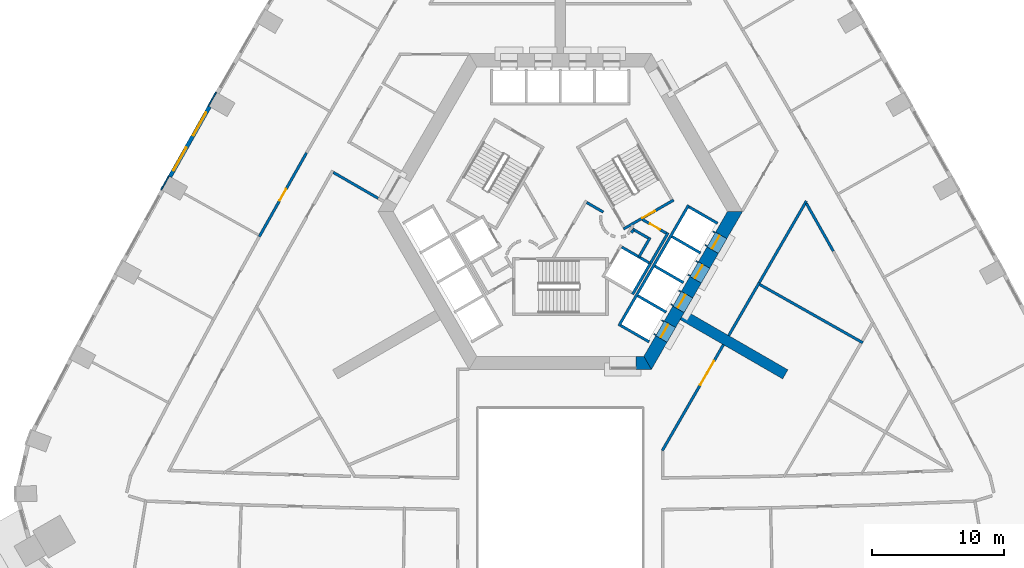
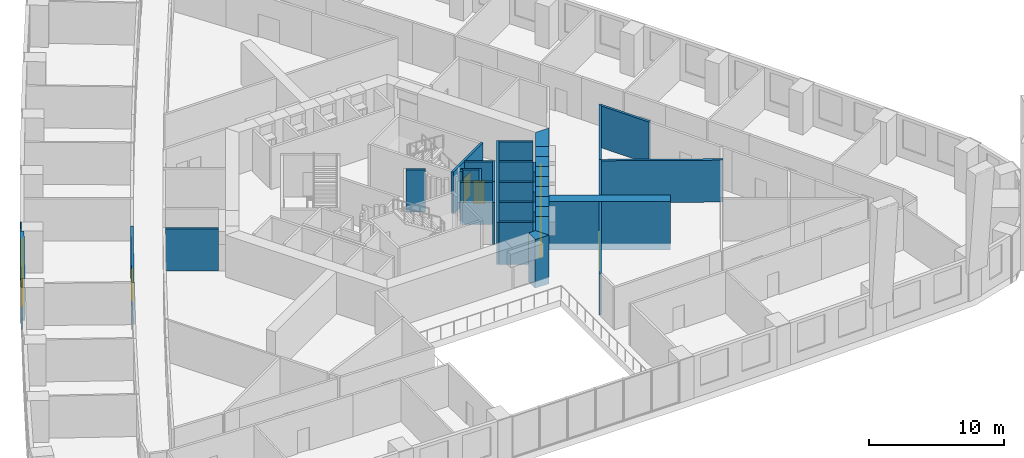
# One storey, part 7 of 15: 40 walls, 9 doors, 2 windows, 11 openings.
"""IFC4 building model written with IfcOpenShell, lengths in metres."""

from ifc_helpers import new_model, si_unit, direction, frame, frame_2d, origin, place, context, subcontext, project, spatial, polyline, rectangle, outline, extrude, material, layer, layer_set, type_object, element, fill, save


model = new_model("IFC4")

# Units and contexts
model_context = context("Model", 3, precision=1e-05, world=origin(), true_north=direction((0.0, 1.0)))
body_context = subcontext(model_context, "Body", "Model", "MODEL_VIEW")
ifc_project = project(units=[si_unit("LENGTHUNIT", "METRE"), si_unit("AREAUNIT", "SQUARE_METRE"), si_unit("VOLUMEUNIT", "CUBIC_METRE"), si_unit("PLANEANGLEUNIT", "RADIAN"), si_unit("MASSUNIT", "GRAM", prefix="KILO")], contexts=[model_context])

# Site, building, storey
site_placement = place(None, origin())
site = spatial("IfcSite", under=ifc_project, at=site_placement, CompositionType="ELEMENT")
building_placement = place(site_placement, origin())
building = spatial("IfcBuilding", under=site, at=building_placement, Name="Entoto Arch Interchange Tower", CompositionType="ELEMENT")
storey_placement = place(building_placement, frame((0.0, 0.0, 35.0)))
storey = spatial("IfcBuildingStorey", under=building, at=storey_placement, Name="L06", CompositionType="ELEMENT", Elevation=35.0)

# Walls
ifc_material_1 = material(Name="Concrete C60/75", Category="concrete")
ifc_layer_1 = layer(ifc_material_1, 0.800048828125)
ifc_layer_set_1 = layer_set([ifc_layer_1], Name="Concrete C60/75")
wall_type_1 = type_object("IfcWallType", Name="Buttress wall 800 C60/75", PredefinedType="SHEAR", material=ifc_layer_set_1)
wall_1_placement = place(storey_placement, frame((9.31005859375, -5.375, -0.60009765625), z_axis=(0.0, 0.0, 1.0), x_axis=(0.866017533419, -0.500013631625, 0.0)))
element("IfcWall", 1, at=wall_1_placement, inside=storey, type_object=wall_type_1, Name="Buttress wall SE L06", PredefinedType="SHEAR", context=body_context, shape_type="SweptSolid", body=[
    extrude(rectangle(XDim=8.999755859375, YDim=0.800048828125, at=frame_2d((4.5, 0.0))), origin(), (0.0, 0.0, 1.0), 4.400146484375),
])
ifc_layer_2 = layer(ifc_material_1, 1.0)
ifc_layer_set_2 = layer_set([ifc_layer_2], Name="Concrete C60/75")
wall_type_2 = type_object("IfcWallType", Name="Core wall 1000 C60/75", PredefinedType="SHEAR", material=ifc_layer_set_2)
wall_2_placement = place(storey_placement, frame((0.0, 0.0, -0.60009765625)))
element("IfcWall", 2, at=wall_2_placement, inside=storey, type_object=wall_type_2, Name="Core wall S L06", PredefinedType="SHEAR", context=body_context, shape_type="SweptSolid", body=[
    extrude(outline(polyline([(5.75, -8.5), (5.75, -9.5), (6.927978515625, -9.5), (6.35107421875, -8.5), (5.75, -8.5)])), origin(), (0.0, 0.0, 1.0), 4.400146484375),
])
wall_3_placement = place(storey_placement, frame((0.0, 0.0, -0.60009765625)))
element("IfcWall", 3, at=wall_3_placement, inside=storey, type_object=wall_type_2, Name="Core wall SE L06", PredefinedType="SHEAR", context=body_context, shape_type="SweptSolid", body=[
    extrude(outline(polyline([(8.116943359375, -7.43994140625), (7.251953125, -6.93994140625), (6.35107421875, -8.5), (6.927978515625, -9.5), (8.116943359375, -7.43994140625)])), origin(), (0.0, 0.0, 1.0), 4.400146484375),
])
wall_4_placement = place(storey_placement, frame((0.0, 0.0, -0.60009765625)))
element("IfcWall", 4, at=wall_4_placement, inside=storey, type_object=wall_type_2, Name="Core wall SE L06", PredefinedType="SHEAR", context=body_context, shape_type="SweptSolid", body=[
    extrude(outline(polyline([(9.4169921875, -5.18896484375), (8.551025390625, -4.68896484375), (7.902099609375, -5.81396484375), (8.76708984375, -6.31396484375), (9.4169921875, -5.18896484375)])), origin(), (0.0, 0.0, 1.0), 4.400146484375),
])
wall_5_placement = place(storey_placement, frame((0.0, 0.0, -0.60009765625)))
element("IfcWall", 5, at=wall_5_placement, inside=storey, type_object=wall_type_2, Name="Core wall SE L06", PredefinedType="SHEAR", context=body_context, shape_type="SweptSolid", body=[
    extrude(outline(polyline([(10.717041015625, -2.93701171875), (9.85107421875, -2.43701171875), (9.200927734375, -3.56298828125), (10.06689453125, -4.06298828125), (10.717041015625, -2.93701171875)])), origin(), (0.0, 0.0, 1.0), 4.400146484375),
])
wall_6_placement = place(storey_placement, frame((0.0, 0.0, -0.60009765625)))
element("IfcWall", 6, at=wall_6_placement, inside=storey, type_object=wall_type_2, Name="Core wall SE L06", PredefinedType="SHEAR", context=body_context, shape_type="SweptSolid", body=[
    extrude(outline(polyline([(12.01708984375, -0.68603515625), (11.15087890625, -0.18603515625), (10.5009765625, -1.31103515625), (11.366943359375, -1.81103515625), (12.01708984375, -0.68603515625)])), origin(), (0.0, 0.0, 1.0), 4.400146484375),
])
wall_7_placement = place(storey_placement, frame((0.0, 0.0, -0.60009765625)))
element("IfcWall", 7, at=wall_7_placement, inside=storey, type_object=wall_type_2, Name="Core wall SE L06", PredefinedType="SHEAR", context=body_context, shape_type="SweptSolid", body=[
    extrude(outline(polyline([(11.801025390625, 0.93994140625), (12.6669921875, 0.43994140625), (13.85595703125, 2.5), (12.701904296875, 2.5), (11.801025390625, 0.93994140625)])), origin(), (0.0, 0.0, 1.0), 4.400146484375),
])
wall_8_placement = place(storey_placement, frame((0.0, 0.0, 3.60009765625)))
element("IfcWall", 8, at=wall_8_placement, inside=storey, type_object=wall_type_2, Name="Core wall lintel SE L06", PredefinedType="SHEAR", context=body_context, shape_type="SweptSolid", body=[
    extrude(outline(polyline([(8.76708984375, -6.31396484375), (7.902099609375, -5.81396484375), (7.251953125, -6.93994140625), (8.116943359375, -7.43994140625), (8.76708984375, -6.31396484375)])), origin(), (0.0, 0.0, 1.0), 0.199951171875),
])
wall_9_placement = place(storey_placement, frame((0.0, 0.0, 3.60009765625)))
element("IfcWall", 9, at=wall_9_placement, inside=storey, type_object=wall_type_2, Name="Core wall lintel SE L06", PredefinedType="SHEAR", context=body_context, shape_type="SweptSolid", body=[
    extrude(outline(polyline([(10.06689453125, -4.06298828125), (9.200927734375, -3.56298828125), (8.551025390625, -4.68896484375), (9.4169921875, -5.18896484375), (10.06689453125, -4.06298828125)])), origin(), (0.0, 0.0, 1.0), 0.199951171875),
])
wall_10_placement = place(storey_placement, frame((0.0, 0.0, 3.60009765625)))
element("IfcWall", 10, at=wall_10_placement, inside=storey, type_object=wall_type_2, Name="Core wall lintel SE L06", PredefinedType="SHEAR", context=body_context, shape_type="SweptSolid", body=[
    extrude(outline(polyline([(11.366943359375, -1.81103515625), (10.5009765625, -1.31103515625), (9.85107421875, -2.43701171875), (10.717041015625, -2.93701171875), (11.366943359375, -1.81103515625)])), origin(), (0.0, 0.0, 1.0), 0.199951171875),
])
wall_11_placement = place(storey_placement, frame((0.0, 0.0, 3.60009765625)))
element("IfcWall", 11, at=wall_11_placement, inside=storey, type_object=wall_type_2, Name="Core wall lintel SE L06", PredefinedType="SHEAR", context=body_context, shape_type="SweptSolid", body=[
    extrude(outline(polyline([(12.6669921875, 0.43994140625), (11.801025390625, 0.93994140625), (11.15087890625, -0.18603515625), (12.01708984375, -0.68603515625), (12.6669921875, 0.43994140625)])), origin(), (0.0, 0.0, 1.0), 0.199951171875),
])

# Wall, opening, door
ifc_material_2 = material(Name="Concrete C40/50", Category="concrete")
ifc_layer_3 = layer(ifc_material_2, 1.199951171875)
ifc_layer_set_3 = layer_set([ifc_layer_3], Name="Concrete C40/50")
wall_type_3 = type_object("IfcWallType", Name="LIFT LANDING INFILL WALL", PredefinedType="STANDARD", material=ifc_layer_set_3)
wall_12_placement = place(storey_placement, frame((7.597900390625, -7.139892578125, 0.0), z_axis=(0.0, 0.0, 1.0), x_axis=(0.500362116554, 0.865816234728, 0.0)))
wall_12 = element("IfcWall", 12, at=wall_12_placement, inside=storey, type_object=wall_type_3, Name="Lift landing infill wall LR5 L06", PredefinedType="STANDARD", context=body_context, shape_type="SweptSolid", body=[
    extrude(rectangle(XDim=1.29931640625, YDim=1.199951171875, at=frame_2d((0.649658203125, 0.0))), origin(), (0.0, 0.0, 1.0), 2.39990234375),
])
opening_1_placement = place(wall_12_placement, frame((0.10009765625, 0.0, 0.0)))
opening_1 = element("IfcOpeningElement", 13, at=opening_1_placement, cuts=wall_12, Name="Opening LD-LR5-L06", PredefinedType="OPENING", context=body_context, shape_type="SweptSolid", body=[
    extrude(rectangle(XDim=1.10009765625, YDim=2.300048828125, at=frame_2d((0.550048828125, 1.14990234375))), frame((0.0, 0.60986328125, 0.0), z_axis=(0.0, -1.0, 0.0), x_axis=(1.0, 0.0, 0.0)), (0.0, 0.0, 1.0), 1.219970703125),
])
ifc_material_3 = material(Name="Stainless steel 1.4301 panels", Category="steel")
door_type_1 = type_object("IfcDoorType", Name="LIFT LANDING DOOR LD2 1100x2300", OperationType="SLIDING_TO_LEFT", PredefinedType="DOOR", material=ifc_material_3)
door_1_placement = place(opening_1_placement, origin())
door_1 = element("IfcDoor", 14, at=door_1_placement, inside=storey, type_object=door_type_1, Name="Lift landing door LR5 L06", OperationType="SLIDING_TO_LEFT", OverallHeight=2.300048828125, OverallWidth=1.10009765625, PredefinedType="DOOR", context=body_context, shape_type="SweptSolid", body=[
    extrude(rectangle(XDim=1.10009765625, YDim=2.300048828125, at=frame_2d((0.550048828125, 1.14990234375))), frame((0.0, 0.02490234375, 0.0), z_axis=(0.0, -1.0, 0.0), x_axis=(1.0, 0.0, 0.0)), (0.0, 0.0, 1.0), 0.050048828125),
])
fill(opening_1, door_1)

wall_13_placement = place(storey_placement, frame((8.89794921875, -4.888916015625, 0.0), z_axis=(0.0, 0.0, 1.0), x_axis=(0.500036693733, 0.866004217611, 0.0)))
wall_13 = element("IfcWall", 15, at=wall_13_placement, inside=storey, type_object=wall_type_3, Name="Lift landing infill wall LR6 L06", PredefinedType="STANDARD", context=body_context, shape_type="SweptSolid", body=[
    extrude(rectangle(XDim=1.30029296875, YDim=1.199951171875, at=frame_2d((0.650146484375, 0.0))), origin(), (0.0, 0.0, 1.0), 2.39990234375),
])
opening_2_placement = place(wall_13_placement, frame((0.10009765625, 0.0, 0.0)))
opening_2 = element("IfcOpeningElement", 16, at=opening_2_placement, cuts=wall_13, Name="Opening LD-LR6-L06", PredefinedType="OPENING", context=body_context, shape_type="SweptSolid", body=[
    extrude(rectangle(XDim=1.10009765625, YDim=2.300048828125, at=frame_2d((0.550048828125, 1.14990234375))), frame((0.0, 0.60986328125, 0.0), z_axis=(0.0, -1.0, 0.0), x_axis=(1.0, 0.0, 0.0)), (0.0, 0.0, 1.0), 1.219970703125),
])
door_2_placement = place(opening_2_placement, origin())
door_2 = element("IfcDoor", 17, at=door_2_placement, inside=storey, type_object=door_type_1, Name="Lift landing door LR6 L06", OperationType="SLIDING_TO_LEFT", OverallHeight=2.300048828125, OverallWidth=1.10009765625, PredefinedType="DOOR", context=body_context, shape_type="SweptSolid", body=[
    extrude(rectangle(XDim=1.10009765625, YDim=2.300048828125, at=frame_2d((0.550048828125, 1.14990234375))), frame((0.0, 0.02490234375, 0.0), z_axis=(0.0, -1.0, 0.0), x_axis=(1.0, 0.0, 0.0)), (0.0, 0.0, 1.0), 0.050048828125),
])
fill(opening_2, door_2)

wall_14_placement = place(storey_placement, frame((10.197998046875, -2.636962890625, 0.0), z_axis=(0.0, 0.0, 1.0), x_axis=(0.49989585183, 0.866085525409, 0.0)))
wall_14 = element("IfcWall", 18, at=wall_14_placement, inside=storey, type_object=wall_type_3, Name="Lift landing infill wall LR7 L06", PredefinedType="STANDARD", context=body_context, shape_type="SweptSolid", body=[
    extrude(rectangle(XDim=1.300048828125, YDim=1.199951171875, at=frame_2d((0.64990234375, 0.0))), origin(), (0.0, 0.0, 1.0), 2.39990234375),
])
opening_3_placement = place(wall_14_placement, frame((0.10009765625, 0.0, 0.0)))
opening_3 = element("IfcOpeningElement", 19, at=opening_3_placement, cuts=wall_14, Name="Opening LD-LR7-L06", PredefinedType="OPENING", context=body_context, shape_type="SweptSolid", body=[
    extrude(rectangle(XDim=1.10009765625, YDim=2.300048828125, at=frame_2d((0.550048828125, 1.14990234375))), frame((0.0, 0.60986328125, 0.0), z_axis=(0.0, -1.0, 0.0), x_axis=(1.0, 0.0, 0.0)), (0.0, 0.0, 1.0), 1.219970703125),
])
door_3_placement = place(opening_3_placement, origin())
door_3 = element("IfcDoor", 20, at=door_3_placement, inside=storey, type_object=door_type_1, Name="Lift landing door LR7 L06", OperationType="SLIDING_TO_LEFT", OverallHeight=2.300048828125, OverallWidth=1.10009765625, PredefinedType="DOOR", context=body_context, shape_type="SweptSolid", body=[
    extrude(rectangle(XDim=1.10009765625, YDim=2.300048828125, at=frame_2d((0.550048828125, 1.14990234375))), frame((0.0, 0.02490234375, 0.0), z_axis=(0.0, -1.0, 0.0), x_axis=(1.0, 0.0, 0.0)), (0.0, 0.0, 1.0), 0.050048828125),
])
fill(opening_3, door_3)

wall_15_placement = place(storey_placement, frame((11.498046875, -0.385009765625, 0.0), z_axis=(0.0, 0.0, 1.0), x_axis=(0.500221244143, 0.865897630733, 0.0)))
wall_15 = element("IfcWall", 21, at=wall_15_placement, inside=storey, type_object=wall_type_3, Name="Lift landing infill wall LR8 L06", PredefinedType="STANDARD", context=body_context, shape_type="SweptSolid", body=[
    extrude(rectangle(XDim=1.29931640625, YDim=1.199951171875, at=frame_2d((0.649658203125, 0.0))), origin(), (0.0, 0.0, 1.0), 2.39990234375),
])
opening_4_placement = place(wall_15_placement, frame((0.10009765625, 0.0, 0.0)))
opening_4 = element("IfcOpeningElement", 22, at=opening_4_placement, cuts=wall_15, Name="Opening LD-LR8-L06", PredefinedType="OPENING", context=body_context, shape_type="SweptSolid", body=[
    extrude(rectangle(XDim=1.10009765625, YDim=2.300048828125, at=frame_2d((0.550048828125, 1.14990234375))), frame((0.0, 0.60986328125, 0.0), z_axis=(0.0, -1.0, 0.0), x_axis=(1.0, 0.0, 0.0)), (0.0, 0.0, 1.0), 1.219970703125),
])
door_4_placement = place(opening_4_placement, origin())
door_4 = element("IfcDoor", 23, at=door_4_placement, inside=storey, type_object=door_type_1, Name="Lift landing door LR8 L06", OperationType="SLIDING_TO_LEFT", OverallHeight=2.300048828125, OverallWidth=1.10009765625, PredefinedType="DOOR", context=body_context, shape_type="SweptSolid", body=[
    extrude(rectangle(XDim=1.10009765625, YDim=2.300048828125, at=frame_2d((0.550048828125, 1.14990234375))), frame((0.0, 0.02490234375, 0.0), z_axis=(0.0, -1.0, 0.0), x_axis=(1.0, 0.0, 0.0)), (0.0, 0.0, 1.0), 0.050048828125),
])
fill(opening_4, door_4)

# Walls
ifc_layer_4 = layer(ifc_material_2, 0.199951171875)
ifc_layer_set_4 = layer_set([ifc_layer_4], Name="Concrete C40/50")
wall_type_4 = type_object("IfcWallType", Name="LIFT SHAFT WALL 200", PredefinedType="STANDARD", material=ifc_layer_set_4)
wall_16_placement = place(storey_placement, frame((5.491943359375, -3.7880859375, 0.0), z_axis=(0.0, 0.0, 1.0), x_axis=(0.500011755427, 0.866018616679, 0.0)))
element("IfcWall", 24, at=wall_16_placement, inside=storey, type_object=wall_type_4, Name="Shaft wall SE1 back", PredefinedType="STANDARD", context=body_context, shape_type="SweptSolid", body=[
    extrude(rectangle(XDim=2.80029296875, YDim=0.199951171875, at=frame_2d((1.400146484375, 0.0))), origin(), (0.0, 0.0, 1.0), 3.800048828125),
])
wall_17_placement = place(storey_placement, frame((4.677001953125, -0.199951171875, 0.0), z_axis=(0.0, 0.0, 1.0), x_axis=(0.865973769406, -0.500089422704, 0.0)))
element("IfcWall", 25, at=wall_17_placement, inside=storey, type_object=wall_type_4, Name="Shaft wall SE1 cross 2", PredefinedType="STANDARD", context=body_context, shape_type="SweptSolid", body=[
    extrude(rectangle(XDim=2.3994140625, YDim=0.199951171875, at=frame_2d((1.19970703125, 0.0))), origin(), (0.0, 0.0, 1.0), 3.800048828125),
])
wall_18_placement = place(storey_placement, frame((4.450927734375, -6.18994140625, 0.0), z_axis=(0.0, 0.0, 1.0), x_axis=(0.50000090737, 0.866024879913, 0.0)))
element("IfcWall", 26, at=wall_18_placement, inside=storey, type_object=wall_type_4, Name="Shaft wall SE3 front", PredefinedType="STANDARD", context=body_context, shape_type="SweptSolid", body=[
    extrude(rectangle(XDim=10.60009765625, YDim=0.199951171875, at=frame_2d((5.300048828125, 0.0))), origin(), (0.0, 0.0, 1.0), 3.800048828125),
])
for number, where, z_axis, x_axis, name in (
    (27, (4.587890625, -6.153076171875, 0.0), (0.0, 0.0, 1.0), (0.866022959057, -0.500004234368, 0.0), "Shaft wall SE3 cross 1"),
    (28, (5.887939453125, -3.902099609375, 0.0), (0.0, 0.0, 1.0), (0.866022959057, -0.500004234368, 0.0), "Shaft wall SE3 cross 2"),
    (29, (7.18798828125, -1.64990234375, 0.0), (0.0, 0.0, 1.0), (0.866022959057, -0.500004234368, 0.0), "Shaft wall SE3 cross 3"),
    (30, (8.488037109375, 0.60205078125, 0.0), (0.0, 0.0, 1.0), (0.866022959057, -0.500004234368, 0.0), "Shaft wall SE3 cross 4"),
):
    element("IfcWall", number, at=place(storey_placement, frame(where, z_axis=z_axis, x_axis=x_axis)), inside=storey, type_object=wall_type_4, Name=name, PredefinedType="STANDARD", context=body_context, shape_type="SweptSolid", body=[
        extrude(rectangle(XDim=2.5, YDim=0.199951171875, at=frame_2d((1.25, 0.0))), origin(), (0.0, 0.0, 1.0), 3.800048828125),
    ])
wall_19_placement = place(storey_placement, frame((9.7880859375, 2.85302734375, 0.0), z_axis=(0.0, 0.0, 1.0), x_axis=(0.865998541277, -0.500046524342, 0.0)))
element("IfcWall", 31, at=wall_19_placement, inside=storey, type_object=wall_type_4, Name="Shaft wall SE3 cross 5", PredefinedType="STANDARD", context=body_context, shape_type="SweptSolid", body=[
    extrude(rectangle(XDim=2.499755859375, YDim=0.199951171875, at=frame_2d((1.25, 0.0))), origin(), (0.0, 0.0, 1.0), 3.800048828125),
])
ifc_material_4 = material(Name="Gypsum board partition on steel studs", Category="steel")
ifc_layer_5 = layer(ifc_material_4, 0.199951171875)
ifc_layer_set_5 = layer_set([ifc_layer_5], Name="Gypsum board partition on steel studs")
wall_type_5 = type_object("IfcWallType", Name="PARTITION 200", PredefinedType="PARTITIONING", material=ifc_layer_set_5)
wall_20_placement = place(storey_placement, frame((20.7509765625, -0.5048828125, 0.0), z_axis=(0.0, 0.0, 1.0), x_axis=(-0.491284712602, 0.870999041999, 0.0)))
element("IfcWall", 32, at=wall_20_placement, inside=storey, type_object=wall_type_5, Name="wall:L06:p017", PredefinedType="PARTITIONING", context=body_context, shape_type="SweptSolid", body=[
    extrude(rectangle(XDim=4.166259765625, YDim=0.199951171875, at=frame_2d((2.0830078125, 0.0))), origin(), (0.0, 0.0, 1.0), 3.800048828125),
])
wall_21_placement = place(storey_placement, frame((-17.260986328125, 5.47998046875, 0.0), z_axis=(0.0, 0.0, 1.0), x_axis=(0.865949187497, -0.500131987253, 0.0)))
element("IfcWall", 33, at=wall_21_placement, inside=storey, type_object=wall_type_5, Name="wall:L06:p025", PredefinedType="PARTITIONING", context=body_context, shape_type="SweptSolid", body=[
    extrude(rectangle(XDim=3.93896484375, YDim=0.199951171875, at=frame_2d((1.969482421875, 0.0))), origin(), (0.0, 0.0, 1.0), 3.800048828125),
])

# Wall, opening, door
wall_22_placement = place(storey_placement, frame((-22.884033203125, 0.597900390625, 0.0), z_axis=(0.0, 0.0, 1.0), x_axis=(0.491206176175, 0.871043335597, 0.0)))
wall_22 = element("IfcWall", 34, at=wall_22_placement, inside=storey, type_object=wall_type_5, Name="wall:L06:p062", PredefinedType="PARTITIONING", context=body_context, shape_type="SweptSolid", body=[
    extrude(rectangle(XDim=7.308837890625, YDim=0.199951171875, at=frame_2d((3.654296875, 0.0))), origin(), (0.0, 0.0, 1.0), 3.800048828125),
])
opening_5_placement = place(wall_22_placement, frame((3.154052734375, 0.0, 0.0)))
opening_5 = element("IfcOpeningElement", 35, at=opening_5_placement, cuts=wall_22, Name="Opening L06-D16", PredefinedType="OPENING", context=body_context, shape_type="SweptSolid", body=[
    extrude(rectangle(XDim=1.0, YDim=2.10009765625, at=frame_2d((0.5, 1.050048828125))), frame((0.0, 0.10986328125, 0.0), z_axis=(0.0, -1.0, 0.0), x_axis=(1.0, 0.0, 0.0)), (0.0, 0.0, 1.0), 0.219970703125),
])
ifc_material_5 = material(Name="Timber door leaf in Steel S235 frame", Category="steel")
door_type_2 = type_object("IfcDoorType", Name="DOOR DS-10 1000x2100", OperationType="SINGLE_SWING_LEFT", PredefinedType="DOOR", material=ifc_material_5)
door_5_placement = place(opening_5_placement, origin())
door_5 = element("IfcDoor", 36, at=door_5_placement, inside=storey, type_object=door_type_2, Name="door:L06:16", OperationType="SINGLE_SWING_RIGHT", OverallHeight=2.10009765625, OverallWidth=1.0, PredefinedType="DOOR", context=body_context, shape_type="SweptSolid", body=[
    extrude(rectangle(XDim=1.0, YDim=2.10009765625, at=frame_2d((0.5, 1.050048828125))), frame((0.0, 0.02490234375, 0.0), z_axis=(0.0, -1.0, 0.0), x_axis=(1.0, 0.0, 0.0)), (0.0, 0.0, 1.0), 0.050048828125),
])
fill(opening_5, door_5)

# Walls
wall_23_placement = place(storey_placement, frame((5.389892578125, 0.89794921875, 0.0), z_axis=(0.0, 0.0, 1.0), x_axis=(0.673828488714, 0.738887791073, 0.0)))
element("IfcWall", 37, at=wall_23_placement, inside=storey, type_object=wall_type_5, Name="wall:L06:p073", PredefinedType="PARTITIONING", context=body_context, shape_type="SweptSolid", body=[
    extrude(rectangle(XDim=0.2626953125, YDim=0.199951171875, at=frame_2d((0.13134765625, 0.0))), origin(), (0.0, 0.0, 1.0), 3.800048828125),
])
wall_24_placement = place(storey_placement, frame((5.4990234375, 1.172119140625, 0.0), z_axis=(0.0, 0.0, 1.0), x_axis=(0.866333505267, -0.499465972466, 0.0)))
element("IfcWall", 38, at=wall_24_placement, inside=storey, type_object=wall_type_5, Name="wall:L06:p074", PredefinedType="PARTITIONING", context=body_context, shape_type="SweptSolid", body=[
    extrude(rectangle(XDim=1.37353515625, YDim=0.199951171875, at=frame_2d((0.686767578125, 0.0))), origin(), (0.0, 0.0, 1.0), 3.800048828125),
])
wall_25_placement = place(storey_placement, frame((6.825927734375, 0.52197265625, 0.0), z_axis=(0.0, 0.0, 1.0), x_axis=(-0.500016722714, -0.866015748706, 0.0)))
element("IfcWall", 39, at=wall_25_placement, inside=storey, type_object=wall_type_5, Name="wall:L06:p075", PredefinedType="PARTITIONING", context=body_context, shape_type="SweptSolid", body=[
    extrude(rectangle(XDim=1.69970703125, YDim=0.199951171875, at=frame_2d((0.849853515625, 0.0))), origin(), (0.0, 0.0, 1.0), 3.800048828125),
])

# Wall, opening, door
wall_26_placement = place(storey_placement, frame((6.25, 1.89404296875, 0.0), z_axis=(0.0, 0.0, 1.0), x_axis=(0.866043184279, -0.499969202016, 0.0)))
wall_26 = element("IfcWall", 40, at=wall_26_placement, inside=storey, type_object=wall_type_5, Name="wall:L06:p076", PredefinedType="PARTITIONING", context=body_context, shape_type="SweptSolid", body=[
    extrude(rectangle(XDim=2.084228515625, YDim=0.199951171875, at=frame_2d((1.0419921875, 0.0))), origin(), (0.0, 0.0, 1.0), 3.800048828125),
])
opening_6_placement = place(wall_26_placement, frame((0.64208984375, 0.0, 0.0)))
opening_6 = element("IfcOpeningElement", 41, at=opening_6_placement, cuts=wall_26, Name="Opening L06-D40", PredefinedType="OPENING", context=body_context, shape_type="SweptSolid", body=[
    extrude(rectangle(XDim=0.89990234375, YDim=2.10009765625, at=frame_2d((0.449951171875, 1.050048828125))), frame((0.0, 0.10986328125, 0.0), z_axis=(0.0, -1.0, 0.0), x_axis=(1.0, 0.0, 0.0)), (0.0, 0.0, 1.0), 0.219970703125),
])
door_type_3 = type_object("IfcDoorType", Name="DOOR DS-09 900x2100", OperationType="SINGLE_SWING_LEFT", PredefinedType="DOOR", material=ifc_material_5)
door_6_placement = place(opening_6_placement, origin())
door_6 = element("IfcDoor", 42, at=door_6_placement, inside=storey, type_object=door_type_3, Name="door:L06:40", OperationType="SINGLE_SWING_LEFT", OverallHeight=2.10009765625, OverallWidth=0.89990234375, PredefinedType="DOOR", context=body_context, shape_type="SweptSolid", body=[
    extrude(rectangle(XDim=0.89990234375, YDim=2.10009765625, at=frame_2d((0.449951171875, 1.050048828125))), frame((0.0, 0.02490234375, 0.0), z_axis=(0.0, -1.0, 0.0), x_axis=(1.0, 0.0, 0.0)), (0.0, 0.0, 1.0), 0.050048828125),
])
fill(opening_6, door_6)

# Walls
wall_27_placement = place(storey_placement, frame((8.19189453125, 0.887939453125, 0.0), z_axis=(0.0, 0.0, 1.0), x_axis=(-0.499940625693, -0.866059680843, 0.0)))
element("IfcWall", 43, at=wall_27_placement, inside=storey, type_object=wall_type_5, Name="wall:L06:p077", PredefinedType="PARTITIONING", context=body_context, shape_type="SweptSolid", body=[
    extrude(rectangle(XDim=2.679931640625, YDim=0.199951171875, at=frame_2d((1.33984375, 0.0))), origin(), (0.0, 0.0, 1.0), 3.800048828125),
])
wall_28_placement = place(storey_placement, frame((2.011962890625, 3.18603515625, 0.0), z_axis=(0.0, 0.0, 1.0), x_axis=(0.865891012941, -0.500232699559, 0.0)))
element("IfcWall", 44, at=wall_28_placement, inside=storey, type_object=wall_type_5, Name="wall:L06:p089", PredefinedType="PARTITIONING", context=body_context, shape_type="SweptSolid", body=[
    extrude(rectangle(XDim=1.449462890625, YDim=0.199951171875, at=frame_2d((0.724609375, 0.0))), origin(), (0.0, 0.0, 1.0), 3.800048828125),
])
wall_29_placement = place(storey_placement, frame((15.1220703125, -2.907958984375, 0.0), z_axis=(0.0, 0.0, 1.0), x_axis=(-0.499922740561, -0.866070004948, 0.0)))
element("IfcWall", 45, at=wall_29_placement, inside=storey, type_object=wall_type_5, Name="wall:L06:p111", PredefinedType="PARTITIONING", context=body_context, shape_type="SweptSolid", body=[
    extrude(rectangle(XDim=4.642822265625, YDim=0.199951171875, at=frame_2d((2.3212890625, 0.0))), origin(), (0.0, 0.0, 1.0), 3.800048828125),
])
wall_30_placement = place(storey_placement, frame((18.705078125, 3.298095703125, 0.0), z_axis=(0.0, 0.0, 1.0), x_axis=(-0.499993769413, -0.866029000986, 0.0)))
element("IfcWall", 46, at=wall_30_placement, inside=storey, type_object=wall_type_5, Name="wall:L06:p112", PredefinedType="PARTITIONING", context=body_context, shape_type="SweptSolid", body=[
    extrude(rectangle(XDim=7.166015625, YDim=0.199951171875, at=frame_2d((3.5830078125, 0.0))), origin(), (0.0, 0.0, 1.0), 3.800048828125),
])
wall_31_placement = place(storey_placement, frame((15.072021484375, -2.993896484375, 0.0), z_axis=(0.0, 0.0, 1.0), x_axis=(0.87054185148, -0.49209438609, 0.0)))
element("IfcWall", 47, at=wall_31_placement, inside=storey, type_object=wall_type_5, Name="wall:L06:p113", PredefinedType="PARTITIONING", context=body_context, shape_type="SweptSolid", body=[
    extrude(rectangle(XDim=9.099853515625, YDim=0.199951171875, at=frame_2d((4.5498046875, 0.0))), origin(), (0.0, 0.0, 1.0), 3.800048828125),
])

# Wall, openings, doors
wall_32_placement = place(storey_placement, frame((12.40087890625, -7.62109375, 0.0), z_axis=(0.0, 0.0, 1.0), x_axis=(-0.499983724212, -0.866034800411, 0.0)))
wall_32 = element("IfcWall", 48, at=wall_32_placement, inside=storey, type_object=wall_type_5, Name="wall:L06:p111", PredefinedType="PARTITIONING", context=body_context, shape_type="SweptSolid", body=[
    extrude(rectangle(XDim=9.302001953125, YDim=0.199951171875, at=frame_2d((4.65087890625, 0.0))), origin(), (0.0, 0.0, 1.0), 3.800048828125),
])
opening_7_placement = place(wall_32_placement, frame((1.428955078125, 0.0, 0.0)))
opening_7 = element("IfcOpeningElement", 49, at=opening_7_placement, cuts=wall_32, Name="Opening L06-D23", PredefinedType="OPENING", context=body_context, shape_type="SweptSolid", body=[
    extrude(rectangle(XDim=1.0, YDim=2.10009765625, at=frame_2d((0.5, 1.050048828125))), frame((0.0, 0.10986328125, 0.0), z_axis=(0.0, -1.0, 0.0), x_axis=(1.0, 0.0, 0.0)), (0.0, 0.0, 1.0), 0.219970703125),
])
opening_8_placement = place(wall_32_placement, frame((2.529052734375, 0.0, 0.0)))
opening_8 = element("IfcOpeningElement", 50, at=opening_8_placement, cuts=wall_32, Name="Opening L06-D42", PredefinedType="OPENING", context=body_context, shape_type="SweptSolid", body=[
    extrude(rectangle(XDim=1.0, YDim=2.10009765625, at=frame_2d((0.5, 1.050048828125))), frame((0.0, 0.10986328125, 0.0), z_axis=(0.0, -1.0, 0.0), x_axis=(1.0, 0.0, 0.0)), (0.0, 0.0, 1.0), 0.219970703125),
])
door_7_placement = place(opening_7_placement, origin())
door_7 = element("IfcDoor", 51, at=door_7_placement, inside=storey, type_object=door_type_2, Name="door:L06:23", OperationType="SINGLE_SWING_LEFT", OverallHeight=2.10009765625, OverallWidth=1.0, PredefinedType="DOOR", context=body_context, shape_type="SweptSolid", body=[
    extrude(rectangle(XDim=1.0, YDim=2.10009765625, at=frame_2d((0.5, 1.050048828125))), frame((0.0, 0.02490234375, 0.0), z_axis=(0.0, -1.0, 0.0), x_axis=(1.0, 0.0, 0.0)), (0.0, 0.0, 1.0), 0.050048828125),
])
fill(opening_7, door_7)
door_8_placement = place(opening_8_placement, origin())
door_8 = element("IfcDoor", 52, at=door_8_placement, inside=storey, type_object=door_type_2, Name="door:L06:42", OperationType="SINGLE_SWING_RIGHT", OverallHeight=2.10009765625, OverallWidth=1.0, PredefinedType="DOOR", context=body_context, shape_type="SweptSolid", body=[
    extrude(rectangle(XDim=1.0, YDim=2.10009765625, at=frame_2d((0.5, 1.050048828125))), frame((0.0, 0.02490234375, 0.0), z_axis=(0.0, -1.0, 0.0), x_axis=(1.0, 0.0, 0.0)), (0.0, 0.0, 1.0), 0.050048828125),
])
fill(opening_8, door_8)

# Wall, opening, door
ifc_layer_6 = layer(ifc_material_2, 0.199951171875)
ifc_layer_set_6 = layer_set([ifc_layer_6], Name="Concrete C40/50")
wall_type_6 = type_object("IfcWallType", Name="STAIR ENCLOSURE WALL 200", PredefinedType="STANDARD", material=ifc_layer_set_6)
wall_33_placement = place(storey_placement, frame((4.805908203125, 1.176025390625, 0.0), z_axis=(0.0, 0.0, 1.0), x_axis=(0.866059941101, 0.499940174841, 0.0)))
wall_33 = element("IfcWall", 53, at=wall_33_placement, inside=storey, type_object=wall_type_6, Name="Stair wall ST-NE near", PredefinedType="STANDARD", context=body_context, shape_type="SweptSolid", body=[
    extrude(rectangle(XDim=4.400390625, YDim=0.199951171875, at=frame_2d((2.2001953125, 0.0))), origin(), (0.0, 0.0, 1.0), 3.800048828125),
])
opening_9_placement = place(wall_33_placement, frame((1.64990234375, 0.0, 0.0)))
opening_9 = element("IfcOpeningElement", 54, at=opening_9_placement, cuts=wall_33, Name="Opening SD-ST-NE-L06-E", PredefinedType="OPENING", context=body_context, shape_type="SweptSolid", body=[
    extrude(rectangle(XDim=1.10009765625, YDim=2.199951171875, at=frame_2d((0.550048828125, 1.10009765625))), frame((0.0, 0.10986328125, 0.0), z_axis=(0.0, -1.0, 0.0), x_axis=(1.0, 0.0, 0.0)), (0.0, 0.0, 1.0), 0.219970703125),
])
ifc_material_6 = material(Name="Steel S235", Category="steel")
door_type_4 = type_object("IfcDoorType", Name="STAIR DOOR SD1 1100x2200", OperationType="SINGLE_SWING_LEFT", PredefinedType="DOOR", material=ifc_material_6)
door_9_placement = place(opening_9_placement, origin())
door_9 = element("IfcDoor", 55, at=door_9_placement, inside=storey, type_object=door_type_4, Name="Stair door ST-NE L06 end", OperationType="SINGLE_SWING_LEFT", OverallHeight=2.199951171875, OverallWidth=1.10009765625, PredefinedType="DOOR", context=body_context, shape_type="SweptSolid", body=[
    extrude(rectangle(XDim=1.10009765625, YDim=2.199951171875, at=frame_2d((0.550048828125, 1.10009765625))), frame((0.0, 0.02490234375, 0.0), z_axis=(0.0, -1.0, 0.0), x_axis=(1.0, 0.0, 0.0)), (0.0, 0.0, 1.0), 0.050048828125),
])
fill(opening_9, door_9)

# Wall, openings, windows
ifc_material_7 = material(Name="Welded tuff (ignimbrite) cladding, warm buff", Category="masonry")
ifc_layer_7 = layer(ifc_material_7, 0.300048828125)
ifc_layer_set_7 = layer_set([ifc_layer_7], Name="Welded tuff (ignimbrite) cladding, warm buff")
wall_type_7 = type_object("IfcWallType", Name="STONE INFILL WALL 300", PredefinedType="STANDARD", material=ifc_layer_set_7)
wall_34_placement = place(storey_placement, frame((-26.6669921875, 10.48193359375, 0.0), z_axis=(0.0, 0.0, 1.0), x_axis=(-0.491278487323, -0.871002553322, 0.0)))
wall_34 = element("IfcWall", 56, at=wall_34_placement, inside=storey, type_object=wall_type_7, Name="Facade wall NW-06 L06", PredefinedType="STANDARD", context=body_context, shape_type="SweptSolid", body=[
    extrude(rectangle(XDim=6.116943359375, YDim=0.300048828125, at=frame_2d((3.05859375, 0.0))), origin(), (0.0, 0.0, 1.0), 3.800048828125),
])
opening_10_placement = place(wall_34_placement, frame((0.529052734375, 0.0, 0.89990234375)))
opening_10 = element("IfcOpeningElement", 57, at=opening_10_placement, cuts=wall_34, Name="Opening WO-C", PredefinedType="OPENING", context=body_context, shape_type="SweptSolid", body=[
    extrude(rectangle(XDim=2.0, YDim=2.60009765625, at=frame_2d((1.0, 1.300048828125))), frame((0.0, 0.16015625, 0.0), z_axis=(0.0, -1.0, 0.0), x_axis=(1.0, 0.0, 0.0)), (0.0, 0.0, 1.0), 0.320068359375),
])
opening_11_placement = place(wall_34_placement, frame((3.587890625, 0.0, 0.89990234375)))
opening_11 = element("IfcOpeningElement", 58, at=opening_11_placement, cuts=wall_34, Name="Opening WO-C", PredefinedType="OPENING", context=body_context, shape_type="SweptSolid", body=[
    extrude(rectangle(XDim=2.0, YDim=2.60009765625, at=frame_2d((1.0, 1.300048828125))), frame((0.0, 0.16015625, 0.0), z_axis=(0.0, -1.0, 0.0), x_axis=(1.0, 0.0, 0.0)), (0.0, 0.0, 1.0), 0.320068359375),
])
ifc_material_8 = material(Name="Clear glass, low-e double glazed", Category="glass")
window_type = type_object("IfcWindowType", Name="WINDOW WO-C 2000x2600", PartitioningType="DOUBLE_PANEL_VERTICAL", PredefinedType="WINDOW", material=ifc_material_8)
window_1_placement = place(opening_10_placement, origin())
window_1 = element("IfcWindow", 59, at=window_1_placement, inside=storey, type_object=window_type, Name="Window WO-C NW-06 L06", OverallHeight=2.60009765625, OverallWidth=2.0, PartitioningType="SINGLE_PANEL", PredefinedType="WINDOW", context=body_context, shape_type="SweptSolid", body=[
    extrude(rectangle(XDim=2.0, YDim=2.60009765625, at=frame_2d((1.0, 1.300048828125))), frame((0.0, 0.030029296875, 0.0), z_axis=(0.0, -1.0, 0.0), x_axis=(1.0, 0.0, 0.0)), (0.0, 0.0, 1.0), 0.06005859375),
])
fill(opening_10, window_1)
window_2_placement = place(opening_11_placement, origin())
window_2 = element("IfcWindow", 60, at=window_2_placement, inside=storey, type_object=window_type, Name="Window WO-C NW-06 L06", OverallHeight=2.60009765625, OverallWidth=2.0, PartitioningType="SINGLE_PANEL", PredefinedType="WINDOW", context=body_context, shape_type="SweptSolid", body=[
    extrude(rectangle(XDim=2.0, YDim=2.60009765625, at=frame_2d((1.0, 1.300048828125))), frame((0.0, 0.030029296875, 0.0), z_axis=(0.0, -1.0, 0.0), x_axis=(1.0, 0.0, 0.0)), (0.0, 0.0, 1.0), 0.06005859375),
])
fill(opening_11, window_2)

# Walls
ifc_layer_8 = layer(ifc_material_7, 0.10009765625)
ifc_layer_set_8 = layer_set([ifc_layer_8], Name="Welded tuff (ignimbrite) cladding, warm buff")
wall_type_8 = type_object("IfcWallType", Name="STONE PIER CLADDING 100", PredefinedType="STANDARD", material=ifc_layer_set_8)
wall_35_placement = place(storey_placement, frame((-26.162109375, 11.573974609375, 0.0), z_axis=(0.0, 0.0, 1.0), x_axis=(-0.495854054996, -0.868405870629, 0.0)))
element("IfcWall", 61, at=wall_35_placement, inside=storey, type_object=wall_type_8, Name="Stone pier NW06 L06", PredefinedType="STANDARD", context=body_context, shape_type="SweptSolid", body=[
    extrude(rectangle(XDim=1.199951171875, YDim=0.10009765625, at=frame_2d((0.60009765625, 0.0))), origin(), (0.0, 0.0, 1.0), 3.800048828125),
])
wall_36_placement = place(storey_placement, frame((-29.760986328125, 5.205078125, 0.0), z_axis=(0.0, 0.0, 1.0), x_axis=(-0.486730996044, -0.87355190887, 0.0)))
element("IfcWall", 62, at=wall_36_placement, inside=storey, type_object=wall_type_8, Name="Stone pier NW07 L06", PredefinedType="STANDARD", context=body_context, shape_type="SweptSolid", body=[
    extrude(rectangle(XDim=1.19970703125, YDim=0.10009765625, at=frame_2d((0.599853515625, 0.0))), origin(), (0.0, 0.0, 1.0), 3.800048828125),
])

save(model, "model.ifc")
